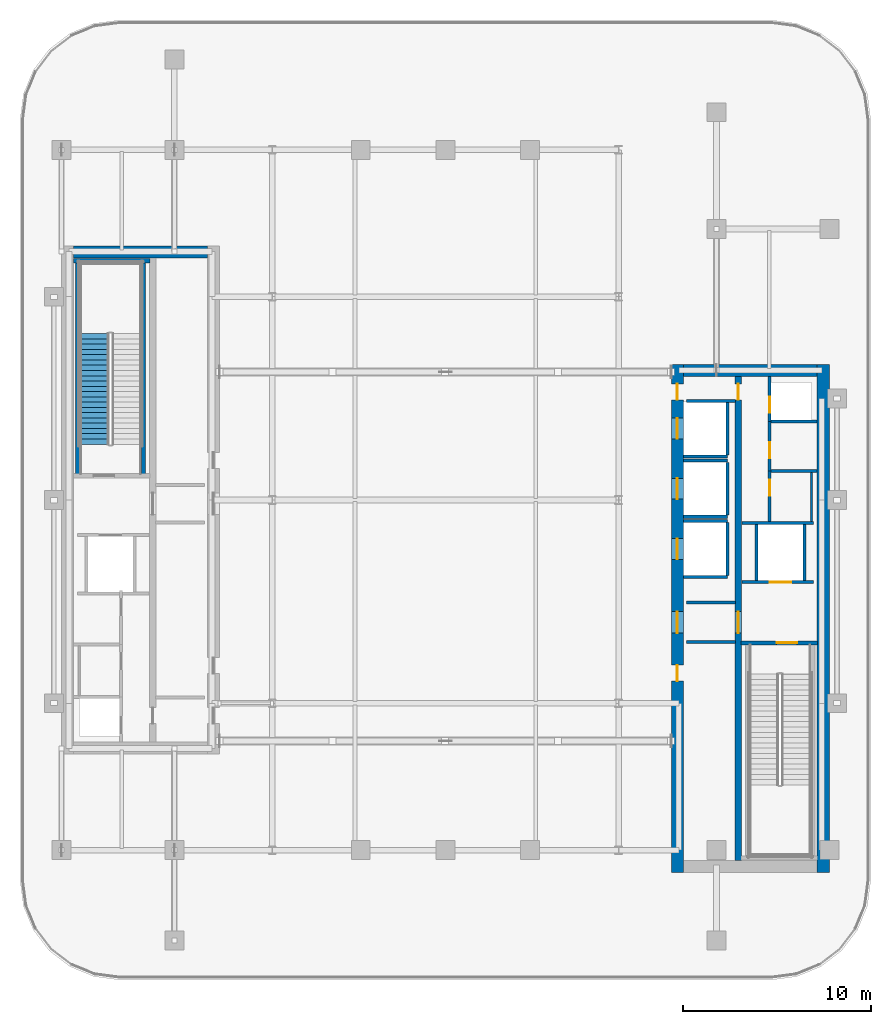
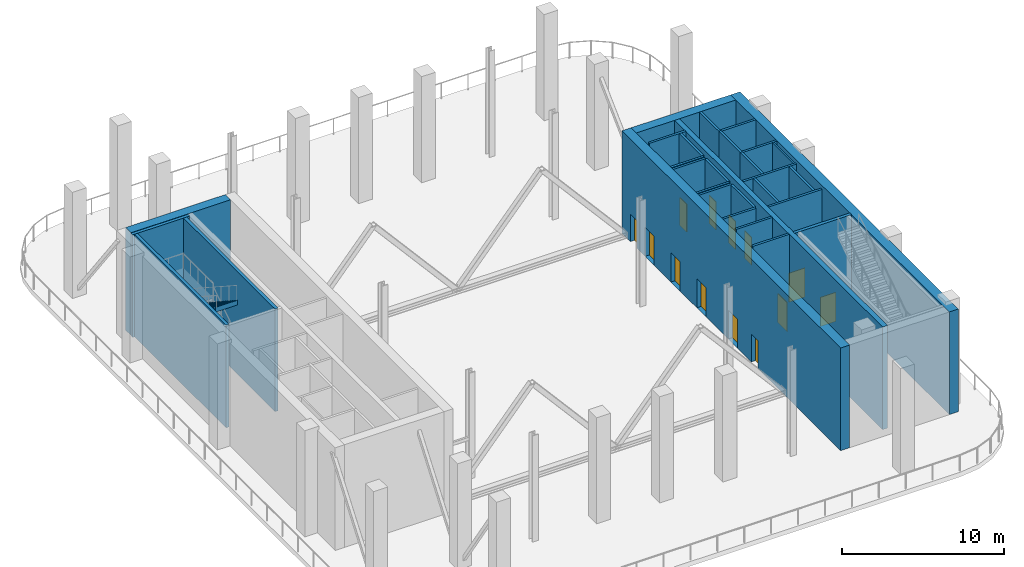
# One storey, part 5 of 12: 30 walls, 13 doors, 1 stair flight, 13 openings, 1 element without a shape of its own.
"""IFC4 building model written with IfcOpenShell, lengths in metres."""

import ifcopenshell
import ifcopenshell.guid

model = None  # the IFC model being written
_history = None  # IfcOwnerHistory: only IFC2X3 demands one
_inside = {}  # id of a spatial element -> (the spatial element, [elements in it])
_under = {}  # id of a project, library or spatial element -> (it, [spatial elements below it])
_declared = {}  # id of a project -> (the project, [libraries it declares])
_typed = {}  # id of a type object -> (the type object, [elements of that type])
_made_of = {}  # id of a material, layer set ... -> (it, [elements and type objects made of it])


def new_model(schema):
    """Start an empty IFC model of exactly this schema.

    Asked for "IFC4X3", IfcOpenShell would pick the latest addendum, in which some entities
    have other attributes; the version numbers below select the first issue.
    IFC2X3 requires an IfcOwnerHistory on every rooted entity: one is made here for all.
    """
    global model, _history
    if schema == "IFC4X3":
        model = ifcopenshell.file(schema_version=(4, 3, 0, 0))
    else:
        model = ifcopenshell.file(schema=schema)
    _inside.clear()
    _under.clear()
    _declared.clear()
    _typed.clear()
    _made_of.clear()
    _history = None
    if model.schema == "IFC2X3":
        org = make("IfcOrganization", Name="unknown")
        user = make(
            "IfcPersonAndOrganization",
            ThePerson=make("IfcPerson", FamilyName="unknown"),
            TheOrganization=org,
        )
        app = make(
            "IfcApplication",
            ApplicationDeveloper=org,
            Version="unknown",
            ApplicationFullName="unknown",
            ApplicationIdentifier="unknown",
        )
        _history = make(
            "IfcOwnerHistory",
            OwningUser=user,
            OwningApplication=app,
            ChangeAction="ADDED",
            CreationDate=0,
        )
    return model


def make(cls, **values):
    """One entity of the class cls with the attributes given. An attribute that is None is left unset."""
    return model.create_entity(
        cls, **{name: value for name, value in values.items() if value is not None}
    )


def rooted(cls, **values):
    """An entity with a GlobalId (a new one), such as an element, a storey or a relation."""
    return make(cls, GlobalId=ifcopenshell.guid.new(), OwnerHistory=_history, **values)


def si_unit(unit_type, name, prefix=None):
    """IfcSIUnit, for example si_unit("LENGTHUNIT", "METRE", prefix="MILLI")."""
    return make("IfcSIUnit", UnitType=unit_type, Prefix=prefix, Name=name)


def assignment(units):
    """IfcUnitAssignment: the units of a project."""
    return None if units is None else make("IfcUnitAssignment", Units=units)


def point(xyz):
    """IfcCartesianPoint."""
    return None if xyz is None else make("IfcCartesianPoint", Coordinates=xyz)


def direction(xyz):
    """IfcDirection."""
    return None if xyz is None else make("IfcDirection", DirectionRatios=xyz)


def frame(location, z_axis=None, x_axis=None):
    """IfcAxis2Placement3D, a coordinate frame: its origin and axes. An axis left out is left unset."""
    return make(
        "IfcAxis2Placement3D",
        Location=point(location),
        Axis=direction(z_axis),
        RefDirection=direction(x_axis),
    )


def frame_2d(location, x_axis=None):
    """IfcAxis2Placement2D, a coordinate frame in the plane: its origin and x axis."""
    return make(
        "IfcAxis2Placement2D", Location=point(location), RefDirection=direction(x_axis)
    )


def origin():
    """The frame at (0, 0, 0) with its axes left unset."""
    return frame((0.0, 0.0, 0.0))


def place(relative_to, where):
    """IfcLocalPlacement: puts the frame where relative to a parent placement (None: the world)."""
    return make(
        "IfcLocalPlacement", PlacementRelTo=relative_to, RelativePlacement=where
    )


def context(
    kind, dimensions, precision=None, world=None, true_north=None, identifier=None
):
    """IfcGeometricRepresentationContext, for example the 3D "Model" context."""
    return make(
        "IfcGeometricRepresentationContext",
        ContextIdentifier=identifier,
        ContextType=kind,
        CoordinateSpaceDimension=dimensions,
        Precision=precision,
        WorldCoordinateSystem=world,
        TrueNorth=true_north,
    )


def subcontext(parent, identifier, kind, view, scale=None):
    """IfcGeometricRepresentationSubContext, for example "Body" below "Model"."""
    return make(
        "IfcGeometricRepresentationSubContext",
        ContextIdentifier=identifier,
        ContextType=kind,
        ParentContext=parent,
        TargetScale=scale,
        TargetView=view,
    )


def project(units=None, contexts=None):
    """IfcProject with its units and contexts."""
    return rooted(
        "IfcProject",
        Name="project",
        RepresentationContexts=contexts,
        UnitsInContext=assignment(units),
    )


def spatial(cls, under=None, at=None, **own):
    """A site, building, storey or space (cls), placed at a placement, below another one or the project."""
    s = rooted(cls, ObjectPlacement=at, **own)
    if under is not None:
        _under.setdefault(under.id(), (under, []))[1].append(s)
    return s


def polyline(points):
    """IfcPolyline through the points."""
    return make("IfcPolyline", Points=[point(p) for p in points])


def profile(cls, at=None, kind="AREA", **sizes):
    """A parametric profile (cls). Its sizes go by their IFC names, for example OverallWidth=200.0."""
    return make(cls, ProfileType=kind, Position=at, **sizes)


def rectangle(**sizes):
    """IfcRectangleProfileDef."""
    return profile("IfcRectangleProfileDef", **sizes)


def outline(outer, holes=None, kind="AREA"):
    """IfcArbitraryClosedProfileDef: a profile drawn as a closed curve; with holes, ...WithVoids."""
    if holes is None:
        return make("IfcArbitraryClosedProfileDef", ProfileType=kind, OuterCurve=outer)
    return make(
        "IfcArbitraryProfileDefWithVoids",
        ProfileType=kind,
        OuterCurve=outer,
        InnerCurves=holes,
    )


def extrude(swept, where, along, depth):
    """IfcExtrudedAreaSolid: the profile swept, set in the frame where, extruded along a direction by depth."""
    return make(
        "IfcExtrudedAreaSolid",
        SweptArea=swept,
        Position=where,
        ExtrudedDirection=direction(along),
        Depth=depth,
    )


def shape(context_of_items, identifier, shape_type, items):
    """IfcShapeRepresentation: the items that make up one representation, for example the "Body"."""
    return make(
        "IfcShapeRepresentation",
        ContextOfItems=context_of_items,
        RepresentationIdentifier=identifier,
        RepresentationType=shape_type,
        Items=items,
    )


def material(Name=None, Category=None):
    """IfcMaterial."""
    return make("IfcMaterial", Name=Name, Category=Category)


def layer(
    of_material, thickness, ventilated=None, Name=None, Category=None, Priority=None
):
    """IfcMaterialLayer: one layer of a wall or slab, of a material (None: an air gap)."""
    return make(
        "IfcMaterialLayer",
        Material=of_material,
        LayerThickness=thickness,
        IsVentilated=ventilated,
        Name=Name,
        Category=Category,
        Priority=Priority,
    )


def layer_set(layers, Name=None):
    """IfcMaterialLayerSet."""
    return make("IfcMaterialLayerSet", MaterialLayers=layers, LayerSetName=Name)


def made_of(thing, what):
    """Note that an element or type object is made of a material, layer set ...; save() writes the relation."""
    if what is not None:
        _made_of.setdefault(what.id(), (what, []))[1].append(thing)
    return thing


def type_object(cls, material=None, **own):
    """A type object (cls), such as IfcWallType, which elements share."""
    return made_of(rooted(cls, **own), material)


def element(
    cls,
    number,
    at=None,
    inside=None,
    cuts=None,
    type_object=None,
    material=None,
    context=None,
    identifier="Body",
    shape_type=None,
    held_by="IfcProductDefinitionShape",
    body=None,
    shapes=None,
    **own,
):
    """One element of the class cls, such as IfcWall. Its Tag is "e" and its number.

    at: its placement. inside: the storey or other place that contains it. cuts: it is an
    opening in that element (IfcRelVoidsElement). A single representation is given by context,
    identifier, shape_type and body (its items); several are given by shapes. held_by: the class
    of the entity that holds the representations. save() writes the other relations.
    """
    e = rooted(cls, Tag="e%d" % number, ObjectPlacement=at, **own)
    if body is not None:
        shapes = [shape(context, identifier, shape_type, body)]
    if shapes is not None:
        e.Representation = make(held_by, Representations=shapes)
    if inside is not None:
        _inside.setdefault(inside.id(), (inside, []))[1].append(e)
    if cuts is not None:
        rooted(
            "IfcRelVoidsElement", RelatingBuildingElement=cuts, RelatedOpeningElement=e
        )
    if type_object is not None:
        _typed.setdefault(type_object.id(), (type_object, []))[1].append(e)
    return made_of(e, material)


def fill(opening, filler):
    """IfcRelFillsElement: the door or window that sits in an opening."""
    return rooted(
        "IfcRelFillsElement",
        RelatingOpeningElement=opening,
        RelatedBuildingElement=filler,
    )


def aggregate(whole, parts):
    """IfcRelAggregates: a whole, such as a stair, and the parts it consists of."""
    return rooted("IfcRelAggregates", RelatingObject=whole, RelatedObjects=parts)


def save(model, path):
    """Write the relations noted so far, then the file.

    IfcRelAggregates (storeys below a building ...), IfcRelContainedInSpatialStructure (elements
    in a storey), IfcRelDefinesByType, IfcRelAssociatesMaterial and IfcRelDeclares: one each for
    every whole, place, type object, material and project.
    """
    for whole, parts in _under.values():
        aggregate(whole, parts)
    for where, things in _inside.values():
        rooted(
            "IfcRelContainedInSpatialStructure",
            RelatedElements=things,
            RelatingStructure=where,
        )
    for kind, things in _typed.values():
        rooted("IfcRelDefinesByType", RelatedObjects=things, RelatingType=kind)
    for what, things in _made_of.values():
        rooted("IfcRelAssociatesMaterial", RelatedObjects=things, RelatingMaterial=what)
    for by, libraries in _declared.values():
        rooted("IfcRelDeclares", RelatingContext=by, RelatedDefinitions=libraries)
    model.write(path)


model = new_model("IFC4")

# Units and contexts
model_context = context("Model", 3, precision=1e-05, world=origin(), true_north=direction((0.0, 1.0)))
body_context = subcontext(model_context, "Body", "Model", "MODEL_VIEW")
ifc_project = project(units=[si_unit("LENGTHUNIT", "METRE"), si_unit("AREAUNIT", "SQUARE_METRE"), si_unit("VOLUMEUNIT", "CUBIC_METRE"), si_unit("PLANEANGLEUNIT", "RADIAN"), si_unit("MASSUNIT", "GRAM", prefix="KILO")], contexts=[model_context])

# Site, building, storey
site_placement = place(None, origin())
site = spatial("IfcSite", under=ifc_project, at=site_placement, CompositionType="ELEMENT")
building_placement = place(site_placement, origin())
building = spatial("IfcBuilding", under=site, at=building_placement, Name="Khairoan Windgate Tower", CompositionType="ELEMENT")
storey_placement = place(building_placement, frame((0.0, 0.0, 214.39990234375)))
storey = spatial("IfcBuildingStorey", under=building, at=storey_placement, Name="L50", CompositionType="ELEMENT", Elevation=214.39990234375)

# Walls
ifc_material_1 = material(Name="Moisture-Resistant Gypsum Partition", Category="gypsum")
ifc_layer_1 = layer(ifc_material_1, 0.10009765625, Name="Moisture-Resistant Gypsum Partition")
ifc_layer_set_1 = layer_set([ifc_layer_1], Name="Moisture-Resistant Gypsum Partition")
wall_type_1 = type_object("IfcWallType", Name="Bathroom Wet-Area Partition Wall", PredefinedType="PARTITIONING", material=ifc_layer_set_1)
wall_1_placement = place(storey_placement, frame((19.449951171875, 1.449951171875, 0.0), z_axis=(0.0, 0.0, 1.0), x_axis=(0.0, -1.0, 0.0)))
element("IfcWall", 1, at=wall_1_placement, inside=storey, type_object=wall_type_1, Name="L50 Wet Room Side Wall 012", PredefinedType="PARTITIONING", context=body_context, shape_type="SweptSolid", body=[
    extrude(rectangle(XDim=2.58984375, YDim=0.10009765625, at=frame_2d((1.294921875, 0.0))), origin(), (0.0, 0.0, 1.0), 7.739990234375),
])
ifc_material_2 = material(Name="Concrete C40/50", Category="concrete")
ifc_layer_2 = layer(ifc_material_2, 0.159912109375, Name="Concrete C40/50")
ifc_layer_set_2 = layer_set([ifc_layer_2], Name="Concrete C40/50")
wall_type_2 = type_object("IfcWallType", Name="Core and Hoistway Enclosure Wall", PredefinedType="STANDARD", material=ifc_layer_set_2)
wall_2_placement = place(storey_placement, frame((12.64990234375, 2.31005859375, 0.0), z_axis=(0.0, 0.0, 1.0), x_axis=(1.0, 0.0, 0.0)))
element("IfcWall", 2, at=wall_2_placement, inside=storey, type_object=wall_type_2, Name="L50 Lift PL7 Hoistway Divider S", PredefinedType="STANDARD", context=body_context, shape_type="SweptSolid", body=[
    extrude(rectangle(XDim=2.340087890625, YDim=0.159912109375, at=frame_2d((1.169921875, 0.0))), origin(), (0.0, 0.0, 1.0), 7.739990234375),
])
wall_3_placement = place(storey_placement, frame((14.989990234375, 2.39990234375, 0.0), z_axis=(0.0, 0.0, 1.0), x_axis=(0.0, 1.0, 0.0)))
element("IfcWall", 3, at=wall_3_placement, inside=storey, type_object=wall_type_2, Name="L50 Lift PL7 Hoistway Back Wall", PredefinedType="STANDARD", context=body_context, shape_type="SweptSolid", body=[
    extrude(rectangle(XDim=2.800048828125, YDim=0.159912109375, at=frame_2d((1.39990234375, 0.0))), origin(), (0.0, 0.0, 1.0), 7.739990234375),
])
for number, where, z_axis, x_axis, name in (
    (4, (12.64990234375, -0.889892578125, 0.0), (0.0, 0.0, 1.0), (1.0, 0.0, 0.0), "L50 Lift PL8 Hoistway Divider S"),
    (5, (12.64990234375, 2.090087890625, 0.0), (0.0, 0.0, 1.0), (1.0, 0.0, 0.0), "L50 Lift PL8 Hoistway Divider N"),
):
    element("IfcWall", number, at=place(storey_placement, frame(where, z_axis=z_axis, x_axis=x_axis)), inside=storey, type_object=wall_type_2, Name=name, PredefinedType="STANDARD", context=body_context, shape_type="SweptSolid", body=[
        extrude(rectangle(XDim=2.340087890625, YDim=0.159912109375, at=frame_2d((1.169921875, 0.0))), origin(), (0.0, 0.0, 1.0), 7.739990234375),
    ])
wall_4_placement = place(storey_placement, frame((14.989990234375, -0.800048828125, 0.0), z_axis=(0.0, 0.0, 1.0), x_axis=(0.0, 1.0, 0.0)))
element("IfcWall", 6, at=wall_4_placement, inside=storey, type_object=wall_type_2, Name="L50 Lift PL8 Hoistway Back Wall", PredefinedType="STANDARD", context=body_context, shape_type="SweptSolid", body=[
    extrude(rectangle(XDim=2.800048828125, YDim=0.159912109375, at=frame_2d((1.39990234375, 0.0))), origin(), (0.0, 0.0, 1.0), 7.739990234375),
])
for number, where, z_axis, x_axis, name in (
    (7, (12.64990234375, -4.090087890625, 0.0), (0.0, 0.0, 1.0), (1.0, 0.0, 0.0), "L50 Lift PL9 Hoistway Divider S"),
    (8, (12.64990234375, -1.110107421875, 0.0), (0.0, 0.0, 1.0), (1.0, 0.0, 0.0), "L50 Lift PL9 Hoistway Divider N"),
):
    element("IfcWall", number, at=place(storey_placement, frame(where, z_axis=z_axis, x_axis=x_axis)), inside=storey, type_object=wall_type_2, Name=name, PredefinedType="STANDARD", context=body_context, shape_type="SweptSolid", body=[
        extrude(rectangle(XDim=2.340087890625, YDim=0.159912109375, at=frame_2d((1.169921875, 0.0))), origin(), (0.0, 0.0, 1.0), 7.739990234375),
    ])
wall_5_placement = place(storey_placement, frame((14.989990234375, -4.0, 0.0), z_axis=(0.0, 0.0, 1.0), x_axis=(0.0, 1.0, 0.0)))
element("IfcWall", 9, at=wall_5_placement, inside=storey, type_object=wall_type_2, Name="L50 Lift PL9 Hoistway Back Wall", PredefinedType="STANDARD", context=body_context, shape_type="SweptSolid", body=[
    extrude(rectangle(XDim=2.800048828125, YDim=0.159912109375, at=frame_2d((1.39990234375, 0.0))), origin(), (0.0, 0.0, 1.0), 7.739990234375),
])

# Wall, opening, door
wall_6_placement = place(storey_placement, frame((15.75, -4.360107421875, 0.0), z_axis=(0.0, 0.0, 1.0), x_axis=(1.0, 0.0, 0.0)))
wall_6 = element("IfcWall", 10, at=wall_6_placement, inside=storey, type_object=wall_type_2, Name="L50 Core Shaft Wall SW-FL1-L50", PredefinedType="STANDARD", context=body_context, shape_type="SweptSolid", body=[
    extrude(rectangle(XDim=3.800048828125, YDim=0.159912109375, at=frame_2d((1.89990234375, 0.0))), origin(), (0.0, 0.0, 1.0), 7.739990234375),
])
opening_1_placement = place(wall_6_placement, frame((1.469970703125, 0.0, 0.0)))
opening_1 = element("IfcOpeningElement", 11, at=opening_1_placement, cuts=wall_6, Name="Opening LD-FL", PredefinedType="OPENING", context=body_context, shape_type="SweptSolid", body=[
    extrude(rectangle(XDim=1.14990234375, YDim=2.199951171875, at=frame_2d((0.574951171875, 1.10009765625))), frame((0.0, 0.08984375, 0.0), z_axis=(0.0, -1.0, 0.0), x_axis=(1.0, 0.0, 0.0)), (0.0, 0.0, 1.0), 0.179931640625),
])
ifc_material_3 = material(Name="Steel S355", Category="steel")
door_type_1 = type_object("IfcDoorType", Name="Firefighting Lift Sliding Landing Door LD-FL 1150x2200", OperationType="DOUBLE_DOOR_SLIDING", PredefinedType="DOOR", material=ifc_material_3)
door_1_placement = place(opening_1_placement, origin())
door_1 = element("IfcDoor", 12, at=door_1_placement, inside=storey, type_object=door_type_1, Name="L50 Firefighting Lift FL1 Landing Door", OperationType="DOUBLE_DOOR_SLIDING", OverallHeight=2.199951171875, OverallWidth=1.14990234375, PredefinedType="DOOR", context=body_context, shape_type="SweptSolid", body=[
    extrude(rectangle(XDim=1.14990234375, YDim=2.199951171875, at=frame_2d((0.574951171875, 1.10009765625))), frame((0.0, 0.02490234375, 0.0), z_axis=(0.0, -1.0, 0.0), x_axis=(1.0, 0.0, 0.0)), (0.0, 0.0, 1.0), 0.050048828125),
])
fill(opening_1, door_1)

# Walls
wall_7_placement = place(storey_placement, frame((15.75, -1.219970703125, 0.0), z_axis=(0.0, 0.0, 1.0), x_axis=(1.0, 0.0, 0.0)))
element("IfcWall", 13, at=wall_7_placement, inside=storey, type_object=wall_type_2, Name="L50 Core Shaft Wall SW-FL1T-L50", PredefinedType="STANDARD", context=body_context, shape_type="SweptSolid", body=[
    extrude(rectangle(XDim=3.800048828125, YDim=0.159912109375, at=frame_2d((1.89990234375, 0.0))), origin(), (0.0, 0.0, 1.0), 7.739990234375),
])
for number, where, z_axis, x_axis, name in (
    (14, (16.52001953125, -4.280029296875, 0.0), (0.0, 0.0, 1.0), (0.0, 1.0, 0.0), "L50 Core Shaft Wall SW-FL1W-L50"),
    (15, (19.080078125, -4.280029296875, 0.0), (0.0, 0.0, 1.0), (0.0, 1.0, 0.0), "L50 Core Shaft Wall SW-FL1E-L50"),
):
    element("IfcWall", number, at=place(storey_placement, frame(where, z_axis=z_axis, x_axis=x_axis)), inside=storey, type_object=wall_type_2, Name=name, PredefinedType="STANDARD", context=body_context, shape_type="SweptSolid", body=[
        extrude(rectangle(XDim=2.97998046875, YDim=0.159912109375, at=frame_2d((1.489990234375, 0.0))), origin(), (0.0, 0.0, 1.0), 7.739990234375),
    ])
for number, where, z_axis, x_axis, name in (
    (16, (12.800048828125, -5.449951171875, 0.0), (0.0, 0.0, 1.0), (1.0, 0.0, 0.0), "L50 Core Shaft Wall SW-EV1-L50"),
    (17, (12.800048828125, -7.5400390625, 0.0), (0.0, 0.0, 1.0), (1.0, 0.0, 0.0), "L50 Core Shaft Wall SW-EV2-L50"),
    (18, (12.800048828125, 5.25, 0.0), (0.0, 0.0, 1.0), (1.0, 0.0, 0.0), "L50 Core Shaft Wall SW-ESV-L50"),
):
    element("IfcWall", number, at=place(storey_placement, frame(where, z_axis=z_axis, x_axis=x_axis)), inside=storey, type_object=wall_type_2, Name=name, PredefinedType="STANDARD", context=body_context, shape_type="SweptSolid", body=[
        extrude(rectangle(XDim=2.599853515625, YDim=0.159912109375, at=frame_2d((1.2998046875, 0.0))), origin(), (0.0, 0.0, 1.0), 7.739990234375),
    ])

# Wall, opening, door
ifc_material_4 = material(Name="Concrete C40/50", Category="concrete")
ifc_layer_3 = layer(ifc_material_4, 0.159912109375, Name="Concrete C40/50")
ifc_layer_set_3 = layer_set([ifc_layer_3], Name="Concrete C40/50")
wall_type_3 = type_object("IfcWallType", Name="Plant and Refuge Compartment Wall", PredefinedType="PARTITIONING", material=ifc_layer_set_3)
wall_8_placement = place(storey_placement, frame((17.22998046875, 4.169921875, 0.0), z_axis=(0.0, 0.0, 1.0), x_axis=(0.0, 1.0, 0.0)))
wall_8 = element("IfcWall", 19, at=wall_8_placement, inside=storey, type_object=wall_type_3, Name="L50 Interior Partition 006", PredefinedType="PARTITIONING", context=body_context, shape_type="SweptSolid", body=[
    extrude(rectangle(XDim=2.380126953125, YDim=0.159912109375, at=frame_2d((1.18994140625, 0.0))), origin(), (0.0, 0.0, 1.0), 7.739990234375),
])
opening_2_placement = place(wall_8_placement, frame((0.4599609375, 0.0, 0.0)))
opening_2 = element("IfcOpeningElement", 20, at=opening_2_placement, cuts=wall_8, Name="Opening FD-SRV", PredefinedType="OPENING", context=body_context, shape_type="SweptSolid", body=[
    extrude(rectangle(XDim=0.85009765625, YDim=2.10009765625, at=frame_2d((0.425048828125, 1.050048828125))), frame((0.0, 0.08984375, 0.0), z_axis=(0.0, -1.0, 0.0), x_axis=(1.0, 0.0, 0.0)), (0.0, 0.0, 1.0), 0.179931640625),
])
ifc_material_5 = material(Name="Steel S355", Category="steel")
door_type_2 = type_object("IfcDoorType", Name="Core Service and Riser Fire Door FD-SRV 850x2100", OperationType="NOTDEFINED", PredefinedType="DOOR", material=ifc_material_5)
door_2_placement = place(opening_2_placement, origin())
door_2 = element("IfcDoor", 21, at=door_2_placement, inside=storey, type_object=door_type_2, Name="L50 L50-15-L50-16 Door", OperationType="SINGLE_SWING_RIGHT", OverallHeight=2.10009765625, OverallWidth=0.85009765625, PredefinedType="DOOR", context=body_context, shape_type="SweptSolid", body=[
    extrude(rectangle(XDim=0.85009765625, YDim=2.10009765625, at=frame_2d((0.425048828125, 1.050048828125))), frame((0.0, 0.02490234375, 0.0), z_axis=(0.0, -1.0, 0.0), x_axis=(1.0, 0.0, 0.0)), (0.0, 0.0, 1.0), 0.050048828125),
])
fill(opening_2, door_2)

wall_9_placement = place(storey_placement, frame((17.22998046875, -1.139892578125, 0.0), z_axis=(0.0, 0.0, 1.0), x_axis=(0.0, 1.0, 0.0)))
wall_9 = element("IfcWall", 22, at=wall_9_placement, inside=storey, type_object=wall_type_3, Name="L50 Interior Partition 007", PredefinedType="PARTITIONING", context=body_context, shape_type="SweptSolid", body=[
    extrude(rectangle(XDim=2.669921875, YDim=0.159912109375, at=frame_2d((1.3349609375, 0.0))), origin(), (0.0, 0.0, 1.0), 7.739990234375),
])
opening_3_placement = place(wall_9_placement, frame((1.360107421875, 0.0, 0.0)))
opening_3 = element("IfcOpeningElement", 23, at=opening_3_placement, cuts=wall_9, Name="Opening FD-SRV", PredefinedType="OPENING", context=body_context, shape_type="SweptSolid", body=[
    extrude(rectangle(XDim=0.85009765625, YDim=2.10009765625, at=frame_2d((0.425048828125, 1.050048828125))), frame((0.0, 0.08984375, 0.0), z_axis=(0.0, -1.0, 0.0), x_axis=(1.0, 0.0, 0.0)), (0.0, 0.0, 1.0), 0.179931640625),
])
door_3_placement = place(opening_3_placement, origin())
door_3 = element("IfcDoor", 24, at=door_3_placement, inside=storey, type_object=door_type_2, Name="L50 L50-15-L50-17 Door", OperationType="SINGLE_SWING_LEFT", OverallHeight=2.10009765625, OverallWidth=0.85009765625, PredefinedType="DOOR", context=body_context, shape_type="SweptSolid", body=[
    extrude(rectangle(XDim=0.85009765625, YDim=2.10009765625, at=frame_2d((0.425048828125, 1.050048828125))), frame((0.0, 0.02490234375, 0.0), z_axis=(0.0, -1.0, 0.0), x_axis=(1.0, 0.0, 0.0)), (0.0, 0.0, 1.0), 0.050048828125),
])
fill(opening_3, door_3)

wall_10_placement = place(storey_placement, frame((17.22998046875, 1.530029296875, 0.0), z_axis=(0.0, 0.0, 1.0), x_axis=(0.0, 1.0, 0.0)))
wall_10 = element("IfcWall", 25, at=wall_10_placement, inside=storey, type_object=wall_type_3, Name="L50 Interior Partition 008", PredefinedType="PARTITIONING", context=body_context, shape_type="SweptSolid", body=[
    extrude(rectangle(XDim=2.639892578125, YDim=0.159912109375, at=frame_2d((1.31982421875, 0.0))), origin(), (0.0, 0.0, 1.0), 7.739990234375),
])
opening_4_placement = place(wall_10_placement, frame((0.677490234375, 0.0, 0.0)))
opening_4 = element("IfcOpeningElement", 26, at=opening_4_placement, cuts=wall_10, Name="Opening FD-SRV", PredefinedType="OPENING", context=body_context, shape_type="SweptSolid", body=[
    extrude(rectangle(XDim=0.85009765625, YDim=2.10009765625, at=frame_2d((0.425048828125, 1.050048828125))), frame((0.0, 0.08984375, 0.0), z_axis=(0.0, -1.0, 0.0), x_axis=(1.0, 0.0, 0.0)), (0.0, 0.0, 1.0), 0.179931640625),
])
door_4_placement = place(opening_4_placement, origin())
door_4 = element("IfcDoor", 27, at=door_4_placement, inside=storey, type_object=door_type_2, Name="L50 L50-15-L50-18 Door", OperationType="SINGLE_SWING_RIGHT", OverallHeight=2.10009765625, OverallWidth=0.85009765625, PredefinedType="DOOR", context=body_context, shape_type="SweptSolid", body=[
    extrude(rectangle(XDim=0.85009765625, YDim=2.10009765625, at=frame_2d((0.425048828125, 1.050048828125))), frame((0.0, 0.02490234375, 0.0), z_axis=(0.0, -1.0, 0.0), x_axis=(1.0, 0.0, 0.0)), (0.0, 0.0, 1.0), 0.050048828125),
])
fill(opening_4, door_4)

# Walls
for number, where, z_axis, x_axis, name in (
    (28, (17.31005859375, 4.169921875, 0.0), (0.0, 0.0, 1.0), (1.0, 0.0, 0.0), "L50 Interior Partition 009"),
    (29, (17.31005859375, 1.530029296875, 0.0), (0.0, 0.0, 1.0), (1.0, 0.0, 0.0), "L50 Interior Partition 010"),
):
    element("IfcWall", number, at=place(storey_placement, frame(where, z_axis=z_axis, x_axis=x_axis)), inside=storey, type_object=wall_type_3, Name=name, PredefinedType="PARTITIONING", context=body_context, shape_type="SweptSolid", body=[
        extrude(rectangle(XDim=2.43994140625, YDim=0.159912109375, at=frame_2d((1.219970703125, 0.0))), origin(), (0.0, 0.0, 1.0), 7.739990234375),
    ])

# Wall, openings, doors
ifc_material_6 = material(Name="Concrete C60/75", Category="concrete")
ifc_layer_4 = layer(ifc_material_6, 0.64990234375, Name="Concrete C60/75")
ifc_layer_set_4 = layer_set([ifc_layer_4], Name="Concrete C60/75")
wall_type_4 = type_object("IfcWallType", Name="Shear Wall CW-E2 650mm", PredefinedType="SHEAR", material=ifc_layer_set_4)
wall_11_placement = place(storey_placement, frame((12.324951171875, -19.800048828125, 0.0), z_axis=(0.0, 0.0, 1.0), x_axis=(0.0, 1.0, 0.0)))
wall_11 = element("IfcWall", 30, at=wall_11_placement, inside=storey, type_object=wall_type_4, Name="E Core West Shear Wall L50", PredefinedType="SHEAR", context=body_context, shape_type="SweptSolid", body=[
    extrude(rectangle(XDim=27.0, YDim=0.64990234375, at=frame_2d((13.5, 0.0))), origin(), (0.0, 0.0, 1.0), 7.739990234375),
])
opening_5_placement = place(wall_11_placement, frame((23.050048828125, 0.0, 0.0)))
opening_5 = element("IfcOpeningElement", 31, at=opening_5_placement, cuts=wall_11, Name="Opening LD-PL", PredefinedType="OPENING", context=body_context, shape_type="SweptSolid", body=[
    extrude(rectangle(XDim=1.10009765625, YDim=2.199951171875, at=frame_2d((0.550048828125, 1.10009765625))), frame((0.0, 0.3349609375, 0.0), z_axis=(0.0, -1.0, 0.0), x_axis=(1.0, 0.0, 0.0)), (0.0, 0.0, 1.0), 0.669921875),
])
opening_6_placement = place(wall_11_placement, frame((19.85009765625, 0.0, 0.0)))
opening_6 = element("IfcOpeningElement", 32, at=opening_6_placement, cuts=wall_11, Name="Opening LD-PL", PredefinedType="OPENING", context=body_context, shape_type="SweptSolid", body=[
    extrude(rectangle(XDim=1.10009765625, YDim=2.199951171875, at=frame_2d((0.550048828125, 1.10009765625))), frame((0.0, 0.3349609375, 0.0), z_axis=(0.0, -1.0, 0.0), x_axis=(1.0, 0.0, 0.0)), (0.0, 0.0, 1.0), 0.669921875),
])
opening_7_placement = place(wall_11_placement, frame((16.64990234375, 0.0, 0.0)))
opening_7 = element("IfcOpeningElement", 33, at=opening_7_placement, cuts=wall_11, Name="Opening LD-PL", PredefinedType="OPENING", context=body_context, shape_type="SweptSolid", body=[
    extrude(rectangle(XDim=1.10009765625, YDim=2.199951171875, at=frame_2d((0.550048828125, 1.10009765625))), frame((0.0, 0.3349609375, 0.0), z_axis=(0.0, -1.0, 0.0), x_axis=(1.0, 0.0, 0.0)), (0.0, 0.0, 1.0), 0.669921875),
])
opening_8_placement = place(wall_11_placement, frame((10.175048828125, 0.0, 0.0)))
opening_8 = element("IfcOpeningElement", 34, at=opening_8_placement, cuts=wall_11, Name="Opening FD-SRV", PredefinedType="OPENING", context=body_context, shape_type="SweptSolid", body=[
    extrude(rectangle(XDim=0.85009765625, YDim=2.10009765625, at=frame_2d((0.425048828125, 1.050048828125))), frame((0.0, 0.3349609375, 0.0), z_axis=(0.0, -1.0, 0.0), x_axis=(1.0, 0.0, 0.0)), (0.0, 0.0, 1.0), 0.669921875),
])
opening_9_placement = place(wall_11_placement, frame((12.72509765625, 0.0, 0.0)))
opening_9 = element("IfcOpeningElement", 35, at=opening_9_placement, cuts=wall_11, Name="Opening FD-FFL", PredefinedType="OPENING", context=body_context, shape_type="SweptSolid", body=[
    extrude(rectangle(XDim=1.14990234375, YDim=2.199951171875, at=frame_2d((0.574951171875, 1.10009765625))), frame((0.0, 0.3349609375, 0.0), z_axis=(0.0, -1.0, 0.0), x_axis=(1.0, 0.0, 0.0)), (0.0, 0.0, 1.0), 0.669921875),
])
opening_10_placement = place(wall_11_placement, frame((25.125, 0.0, 0.0)))
opening_10 = element("IfcOpeningElement", 36, at=opening_10_placement, cuts=wall_11, Name="Opening FD-SRV", PredefinedType="OPENING", context=body_context, shape_type="SweptSolid", body=[
    extrude(rectangle(XDim=0.85009765625, YDim=2.10009765625, at=frame_2d((0.425048828125, 1.050048828125))), frame((0.0, 0.3349609375, 0.0), z_axis=(0.0, -1.0, 0.0), x_axis=(1.0, 0.0, 0.0)), (0.0, 0.0, 1.0), 0.669921875),
])
door_5_placement = place(opening_8_placement, origin())
door_5 = element("IfcDoor", 37, at=door_5_placement, inside=storey, type_object=door_type_2, Name="L50 East Core Service Room Door 1", OperationType="SINGLE_SWING_RIGHT", OverallHeight=2.10009765625, OverallWidth=0.85009765625, PredefinedType="DOOR", context=body_context, shape_type="SweptSolid", body=[
    extrude(rectangle(XDim=0.85009765625, YDim=2.10009765625, at=frame_2d((0.425048828125, 1.050048828125))), frame((0.0, 0.02490234375, 0.0), z_axis=(0.0, -1.0, 0.0), x_axis=(1.0, 0.0, 0.0)), (0.0, 0.0, 1.0), 0.050048828125),
])
fill(opening_8, door_5)
door_6_placement = place(opening_10_placement, origin())
door_6 = element("IfcDoor", 38, at=door_6_placement, inside=storey, type_object=door_type_2, Name="L50 East Core Service Vestibule Outer Door", OperationType="SINGLE_SWING_LEFT", OverallHeight=2.10009765625, OverallWidth=0.85009765625, PredefinedType="DOOR", context=body_context, shape_type="SweptSolid", body=[
    extrude(rectangle(XDim=0.85009765625, YDim=2.10009765625, at=frame_2d((0.425048828125, 1.050048828125))), frame((0.0, 0.02490234375, 0.0), z_axis=(0.0, -1.0, 0.0), x_axis=(1.0, 0.0, 0.0)), (0.0, 0.0, 1.0), 0.050048828125),
])
fill(opening_10, door_6)
ifc_material_7 = material(Name="Steel S355", Category="steel")
door_type_3 = type_object("IfcDoorType", Name="Firefighting Lobby Fire Door FD-FFL 1150x2200", OperationType="NOTDEFINED", PredefinedType="DOOR", material=ifc_material_7)
door_7_placement = place(opening_9_placement, origin())
door_7 = element("IfcDoor", 39, at=door_7_placement, inside=storey, type_object=door_type_3, Name="L50 East Core Vestibule Entry Door", OperationType="SINGLE_SWING_LEFT", OverallHeight=2.199951171875, OverallWidth=1.14990234375, PredefinedType="DOOR", context=body_context, shape_type="SweptSolid", body=[
    extrude(rectangle(XDim=1.14990234375, YDim=2.199951171875, at=frame_2d((0.574951171875, 1.10009765625))), frame((0.0, 0.02490234375, 0.0), z_axis=(0.0, -1.0, 0.0), x_axis=(1.0, 0.0, 0.0)), (0.0, 0.0, 1.0), 0.050048828125),
])
fill(opening_9, door_7)
ifc_material_8 = material(Name="Anodised Bronze Aluminium 6063-T6", Category="aluminium")
door_type_4 = type_object("IfcDoorType", Name="Passenger Lift Sliding Landing Door LD-PL 1100x2200", OperationType="DOUBLE_DOOR_SLIDING", PredefinedType="DOOR", material=ifc_material_8)
door_8_placement = place(opening_5_placement, origin())
door_8 = element("IfcDoor", 40, at=door_8_placement, inside=storey, type_object=door_type_4, Name="L50 Lift PL7 Sliding Landing Door", OperationType="DOUBLE_DOOR_SLIDING", OverallHeight=2.199951171875, OverallWidth=1.10009765625, PredefinedType="DOOR", context=body_context, shape_type="SweptSolid", body=[
    extrude(rectangle(XDim=1.10009765625, YDim=2.199951171875, at=frame_2d((0.550048828125, 1.10009765625))), frame((0.0, 0.02490234375, 0.0), z_axis=(0.0, -1.0, 0.0), x_axis=(1.0, 0.0, 0.0)), (0.0, 0.0, 1.0), 0.050048828125),
])
fill(opening_5, door_8)
door_9_placement = place(opening_6_placement, origin())
door_9 = element("IfcDoor", 41, at=door_9_placement, inside=storey, type_object=door_type_4, Name="L50 Lift PL8 Sliding Landing Door", OperationType="DOUBLE_DOOR_SLIDING", OverallHeight=2.199951171875, OverallWidth=1.10009765625, PredefinedType="DOOR", context=body_context, shape_type="SweptSolid", body=[
    extrude(rectangle(XDim=1.10009765625, YDim=2.199951171875, at=frame_2d((0.550048828125, 1.10009765625))), frame((0.0, 0.02490234375, 0.0), z_axis=(0.0, -1.0, 0.0), x_axis=(1.0, 0.0, 0.0)), (0.0, 0.0, 1.0), 0.050048828125),
])
fill(opening_6, door_9)
door_10_placement = place(opening_7_placement, origin())
door_10 = element("IfcDoor", 42, at=door_10_placement, inside=storey, type_object=door_type_4, Name="L50 Lift PL9 Sliding Landing Door", OperationType="DOUBLE_DOOR_SLIDING", OverallHeight=2.199951171875, OverallWidth=1.10009765625, PredefinedType="DOOR", context=body_context, shape_type="SweptSolid", body=[
    extrude(rectangle(XDim=1.10009765625, YDim=2.199951171875, at=frame_2d((0.550048828125, 1.10009765625))), frame((0.0, 0.02490234375, 0.0), z_axis=(0.0, -1.0, 0.0), x_axis=(1.0, 0.0, 0.0)), (0.0, 0.0, 1.0), 0.050048828125),
])
fill(opening_7, door_10)

# Walls
wall_12_placement = place(storey_placement, frame((20.074951171875, -19.800048828125, 0.0), z_axis=(0.0, 0.0, 1.0), x_axis=(0.0, 1.0, 0.0)))
element("IfcWall", 43, at=wall_12_placement, inside=storey, type_object=wall_type_4, Name="E Core East Shear Wall L50", PredefinedType="SHEAR", context=body_context, shape_type="SweptSolid", body=[
    extrude(rectangle(XDim=27.0, YDim=0.64990234375, at=frame_2d((13.5, 0.0))), origin(), (0.0, 0.0, 1.0), 7.739990234375),
])
wall_13_placement = place(storey_placement, frame((12.64990234375, 6.875, 0.0), z_axis=(0.0, 0.0, 1.0), x_axis=(1.0, 0.0, 0.0)))
element("IfcWall", 44, at=wall_13_placement, inside=storey, type_object=wall_type_4, Name="E Core North Shear Wall L50", PredefinedType="SHEAR", context=body_context, shape_type="SweptSolid", body=[
    extrude(rectangle(XDim=7.10009765625, YDim=0.64990234375, at=frame_2d((3.550048828125, 0.0))), origin(), (0.0, 0.0, 1.0), 7.739990234375),
])
ifc_material_9 = material(Name="Concrete C60/75", Category="concrete")
ifc_layer_5 = layer(ifc_material_9, 0.64990234375, Name="Concrete C60/75")
ifc_layer_set_5 = layer_set([ifc_layer_5], Name="Concrete C60/75")
wall_type_5 = type_object("IfcWallType", Name="Shear Wall CW-W2 650mm", PredefinedType="SHEAR", material=ifc_layer_set_5)
wall_14_placement = place(storey_placement, frame((-19.75, 13.175048828125, 0.0), z_axis=(0.0, 0.0, 1.0), x_axis=(1.0, 0.0, 0.0)))
element("IfcWall", 45, at=wall_14_placement, inside=storey, type_object=wall_type_5, Name="W Core North Shear Wall L50", PredefinedType="SHEAR", context=body_context, shape_type="SweptSolid", body=[
    extrude(rectangle(XDim=7.10009765625, YDim=0.64990234375, at=frame_2d((3.550048828125, 0.0))), origin(), (0.0, 0.0, 1.0), 7.739990234375),
])

# Wall, openings, doors
ifc_material_10 = material(Name="Concrete C60/75", Category="concrete")
ifc_layer_6 = layer(ifc_material_10, 0.35009765625, Name="Concrete C60/75")
ifc_layer_set_6 = layer_set([ifc_layer_6], Name="Concrete C60/75")
wall_type_6 = type_object("IfcWallType", Name="Shear Wall SW-1 350mm", PredefinedType="SHEAR", material=ifc_layer_set_6)
wall_15_placement = place(storey_placement, frame((15.550048828125, -19.14990234375, 0.0), z_axis=(0.0, 0.0, 1.0), x_axis=(0.0, 1.0, 0.0)))
wall_15 = element("IfcWall", 46, at=wall_15_placement, inside=storey, type_object=wall_type_6, Name="E Core Spine Shear Wall L50", PredefinedType="SHEAR", context=body_context, shape_type="SweptSolid", body=[
    extrude(rectangle(XDim=25.699951171875, YDim=0.35009765625, at=frame_2d((12.85009765625, 0.0))), origin(), (0.0, 0.0, 1.0), 7.739990234375),
])
opening_11_placement = place(wall_15_placement, frame((12.074951171875, 0.0, 0.0)))
opening_11 = element("IfcOpeningElement", 47, at=opening_11_placement, cuts=wall_15, Name="Opening FD-FFL", PredefinedType="OPENING", context=body_context, shape_type="SweptSolid", body=[
    extrude(rectangle(XDim=1.14990234375, YDim=2.199951171875, at=frame_2d((0.574951171875, 1.10009765625))), frame((0.0, 0.18505859375, 0.0), z_axis=(0.0, -1.0, 0.0), x_axis=(1.0, 0.0, 0.0)), (0.0, 0.0, 1.0), 0.3701171875),
])
opening_12_placement = place(wall_15_placement, frame((24.47509765625, 0.0, 0.0)))
opening_12 = element("IfcOpeningElement", 48, at=opening_12_placement, cuts=wall_15, Name="Opening FD-SRV", PredefinedType="OPENING", context=body_context, shape_type="SweptSolid", body=[
    extrude(rectangle(XDim=0.85009765625, YDim=2.10009765625, at=frame_2d((0.425048828125, 1.050048828125))), frame((0.0, 0.18505859375, 0.0), z_axis=(0.0, -1.0, 0.0), x_axis=(1.0, 0.0, 0.0)), (0.0, 0.0, 1.0), 0.3701171875),
])
door_11_placement = place(opening_12_placement, origin())
door_11 = element("IfcDoor", 49, at=door_11_placement, inside=storey, type_object=door_type_2, Name="L50 East Core Service Passage Inner Door", OperationType="SINGLE_SWING_RIGHT", OverallHeight=2.10009765625, OverallWidth=0.85009765625, PredefinedType="DOOR", context=body_context, shape_type="SweptSolid", body=[
    extrude(rectangle(XDim=0.85009765625, YDim=2.10009765625, at=frame_2d((0.425048828125, 1.050048828125))), frame((0.0, 0.02490234375, 0.0), z_axis=(0.0, -1.0, 0.0), x_axis=(1.0, 0.0, 0.0)), (0.0, 0.0, 1.0), 0.050048828125),
])
fill(opening_12, door_11)
door_12_placement = place(opening_11_placement, origin())
door_12 = element("IfcDoor", 50, at=door_12_placement, inside=storey, type_object=door_type_3, Name="L50 East Firefighting Lobby Fire Door", OperationType="SINGLE_SWING_RIGHT", OverallHeight=2.199951171875, OverallWidth=1.14990234375, PredefinedType="DOOR", context=body_context, shape_type="SweptSolid", body=[
    extrude(rectangle(XDim=1.14990234375, YDim=2.199951171875, at=frame_2d((0.574951171875, 1.10009765625))), frame((0.0, 0.02490234375, 0.0), z_axis=(0.0, -1.0, 0.0), x_axis=(1.0, 0.0, 0.0)), (0.0, 0.0, 1.0), 0.050048828125),
])
fill(opening_11, door_12)

# Wall, opening, door
ifc_material_11 = material(Name="Concrete C50/60", Category="concrete")
ifc_layer_7 = layer(ifc_material_11, 0.219970703125, Name="Concrete C50/60")
ifc_layer_set_7 = layer_set([ifc_layer_7], Name="Concrete C50/60")
wall_type_7 = type_object("IfcWallType", Name="Shear Wall SW-ST 220mm", PredefinedType="SHEAR", material=ifc_layer_set_7)
wall_16_placement = place(storey_placement, frame((19.77001953125, -7.590087890625, 0.0), z_axis=(0.0, 0.0, 1.0), x_axis=(-1.0, 0.0, 0.0)))
wall_16 = element("IfcWall", 51, at=wall_16_placement, inside=storey, type_object=wall_type_7, Name="L50 Stair ST1 North Bearing Wall", PredefinedType="SHEAR", context=body_context, shape_type="SweptSolid", body=[
    extrude(rectangle(XDim=4.06494140625, YDim=0.219970703125, at=frame_2d((2.032470703125, 0.0))), origin(), (0.0, 0.0, 1.0), 7.739990234375),
])
opening_13_placement = place(wall_16_placement, frame((1.080078125, 0.0, 0.0)))
opening_13 = element("IfcOpeningElement", 52, at=opening_13_placement, cuts=wall_16, Name="Opening FD-ST", PredefinedType="OPENING", context=body_context, shape_type="SweptSolid", body=[
    extrude(rectangle(XDim=1.10009765625, YDim=2.199951171875, at=frame_2d((0.550048828125, 1.10009765625))), frame((0.0, 0.119873046875, 0.0), z_axis=(0.0, -1.0, 0.0), x_axis=(1.0, 0.0, 0.0)), (0.0, 0.0, 1.0), 0.239990234375),
])
ifc_material_12 = material(Name="Steel S355", Category="steel")
door_type_5 = type_object("IfcDoorType", Name="Smokeproof Stair Fire Door FD-ST 1100x2200", OperationType="NOTDEFINED", PredefinedType="DOOR", material=ifc_material_12)
door_13_placement = place(opening_13_placement, origin())
door_13 = element("IfcDoor", 53, at=door_13_placement, inside=storey, type_object=door_type_5, Name="L50 Stair ST1 Fire Door", OperationType="SINGLE_SWING_RIGHT", OverallHeight=2.199951171875, OverallWidth=1.10009765625, PredefinedType="DOOR", context=body_context, shape_type="SweptSolid", body=[
    extrude(rectangle(XDim=1.10009765625, YDim=2.199951171875, at=frame_2d((0.550048828125, 1.10009765625))), frame((0.0, 0.02490234375, 0.0), z_axis=(0.0, -1.0, 0.0), x_axis=(1.0, 0.0, 0.0)), (0.0, 0.0, 1.0), 0.050048828125),
])
fill(opening_13, door_13)

# Walls
for number, where, z_axis, x_axis, name in (
    (54, (-16.0400390625, 1.2900390625, 0.0), (0.0, 0.0, 1.0), (0.0, 1.0, 0.0), "L50 Stair ST2 East Bearing Wall"),
    (55, (-19.530029296875, 1.2900390625, 0.0), (0.0, 0.0, 1.0), (0.0, 1.0, 0.0), "L50 Stair ST2 West Bearing Wall"),
):
    element("IfcWall", number, at=place(storey_placement, frame(where, z_axis=z_axis, x_axis=x_axis)), inside=storey, type_object=wall_type_7, Name=name, PredefinedType="SHEAR", context=body_context, shape_type="SweptSolid", body=[
        extrude(rectangle(XDim=11.419921875, YDim=0.219970703125, at=frame_2d((5.7099609375, 0.0))), origin(), (0.0, 0.0, 1.0), 7.739990234375),
    ])
wall_17_placement = place(storey_placement, frame((-19.77001953125, 12.7099609375, 0.0), z_axis=(0.0, 0.0, 1.0), x_axis=(1.0, 0.0, 0.0)))
element("IfcWall", 56, at=wall_17_placement, inside=storey, type_object=wall_type_7, Name="L50 Stair ST2 North Bearing Wall", PredefinedType="SHEAR", context=body_context, shape_type="SweptSolid", body=[
    extrude(rectangle(XDim=4.06494140625, YDim=0.219970703125, at=frame_2d((2.032470703125, 0.0))), origin(), (0.0, 0.0, 1.0), 7.739990234375),
])

# Stair, stair flight
ifc_material_13 = material(Name="Concrete C40/50", Category="concrete")
stair_type = type_object("IfcStairType", Name="Tower Core Dog-Leg Stair ST-T1 1560mm", PredefinedType="HALF_TURN_STAIR", material=ifc_material_13)
stair_placement = place(storey_placement, origin())
stair = element("IfcStair", 57, at=stair_placement, inside=storey, type_object=stair_type, Name="L50 Stair ST2", PredefinedType="HALF_TURN_STAIR")
ifc_material_14 = material(Name="Concrete C40/50", Category="concrete")
ifc_layer_8 = layer(ifc_material_14, 0.14990234375, Name="Concrete C40/50")
ifc_layer_set_8 = layer_set([ifc_layer_8], Name="Concrete C40/50")
stair_flight_type = type_object("IfcStairFlightType", Name="Tower Core Stair Flight STF-1560", PredefinedType="STRAIGHT", material=ifc_layer_set_8)
stair_flight_placement = place(storey_placement, frame((-18.639892578125, 8.840087890625, 4.0), z_axis=(0.0, 0.0, 1.0), x_axis=(0.0, -1.0, 0.0)))
stair_flight = element("IfcStairFlight", 58, at=stair_flight_placement, type_object=stair_flight_type, Name="ST2 flight 2", NumberOfRisers=22, NumberOfTreads=21, PredefinedType="STRAIGHT", RiserHeight=0.181818182, TreadLength=0.28, context=body_context, shape_type="SweptSolid", body=[
    extrude(outline(polyline([(-0.00390625, 0.0), (-0.00390625, 0.181884765625), (0.0, 0.181884765625), (0.280029296875, 0.181884765625), (0.280029296875, 0.363525390625), (0.56005859375, 0.363525390625), (0.56005859375, 0.54541015625), (0.840087890625, 0.54541015625), (0.840087890625, 0.727294921875), (1.1201171875, 0.727294921875), (1.1201171875, 0.9091796875), (1.39990234375, 0.9091796875), (1.39990234375, 1.0908203125), (1.679931640625, 1.0908203125), (1.679931640625, 1.272705078125), (1.9599609375, 1.272705078125), (1.9599609375, 1.45458984375), (2.239990234375, 1.45458984375), (2.239990234375, 1.636474609375), (2.52001953125, 1.636474609375), (2.52001953125, 1.818115234375), (2.800048828125, 1.818115234375), (2.800048828125, 2.0), (3.080078125, 2.0), (3.080078125, 2.181884765625), (3.360107421875, 2.181884765625), (3.360107421875, 2.363525390625), (3.639892578125, 2.363525390625), (3.639892578125, 2.54541015625), (3.919921875, 2.54541015625), (3.919921875, 2.727294921875), (4.199951171875, 2.727294921875), (4.199951171875, 2.9091796875), (4.47998046875, 2.9091796875), (4.47998046875, 3.0908203125), (4.760009765625, 3.0908203125), (4.760009765625, 3.272705078125), (5.0400390625, 3.272705078125), (5.0400390625, 3.45458984375), (5.320068359375, 3.45458984375), (5.320068359375, 3.636474609375), (5.60009765625, 3.636474609375), (5.60009765625, 3.818115234375), (5.8798828125, 3.818115234375), (5.8798828125, 4.0), (5.884033203125, 4.0), (5.884033203125, 3.639404296875), (0.275146484375, 0.0), (-0.00390625, 0.0)])), frame((0.0, 0.780029296875, 0.0), z_axis=(0.0, -1.0, 0.0), x_axis=(1.0, 0.0, 0.0)), (0.0, 0.0, 1.0), 1.56005859375),
])
aggregate(stair, [stair_flight])

save(model, "model.ifc")
